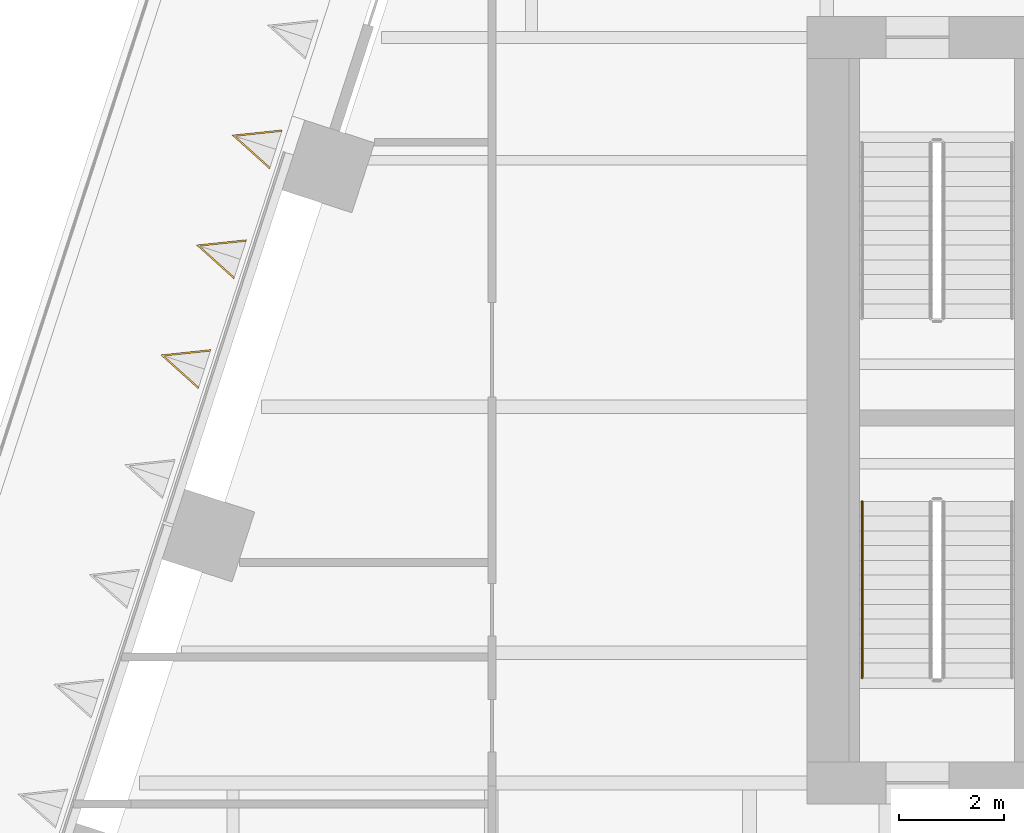
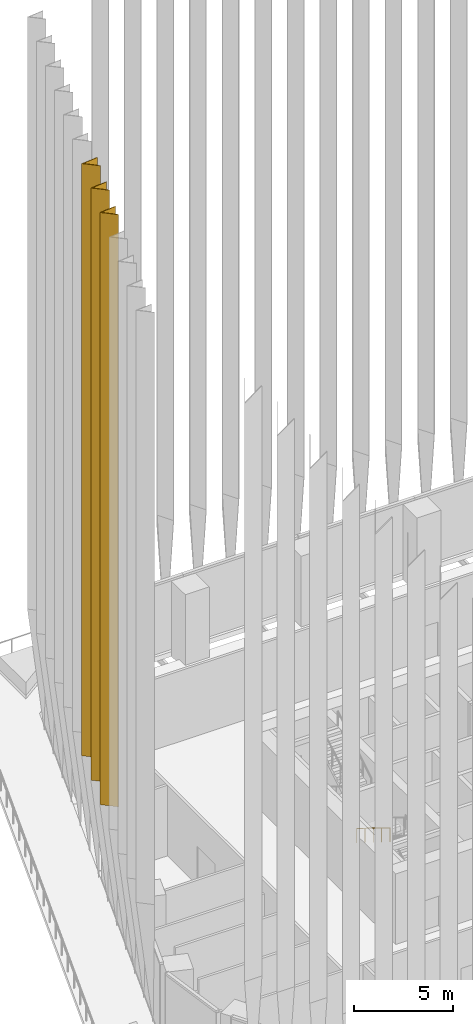
# One storey, part 18 of 27: 3 coverings, 1 railing.
"""IFC4 building model written with IfcOpenShell, lengths in metres."""

from ifc_helpers import new_model, si_unit, direction, frame, origin, origin_2d, place, context, subcontext, project, spatial, polyline, circle, outline, extrude, material, material_profile, profile_set, type_object, element, save


model = new_model("IFC4")

# Units and contexts
model_context = context("Model", 3, precision=1e-05, world=origin(), true_north=direction((0.0, 1.0)))
body_context = subcontext(model_context, "Body", "Model", "MODEL_VIEW")
ifc_project = project(units=[si_unit("LENGTHUNIT", "METRE"), si_unit("AREAUNIT", "SQUARE_METRE"), si_unit("VOLUMEUNIT", "CUBIC_METRE"), si_unit("PLANEANGLEUNIT", "RADIAN"), si_unit("MASSUNIT", "GRAM", prefix="KILO")], contexts=[model_context])

# Site, building, storey
site_placement = place(None, origin())
site = spatial("IfcSite", under=ifc_project, at=site_placement, CompositionType="ELEMENT")
building_placement = place(site_placement, origin())
building = spatial("IfcBuilding", under=site, at=building_placement, Name="Isthmus Gate Tower", CompositionType="ELEMENT")
storey_placement = place(building_placement, frame((0.0, 0.0, 121.64990234375)))
storey = spatial("IfcBuildingStorey", under=building, at=storey_placement, Name="L29", CompositionType="ELEMENT", Elevation=121.64990234375)

# Coverings
ifc_material_1 = material(Name="Structural steel ASTM A572 Gr 50, white paint system", Category="steel")
ifc_material_profile = material_profile(ifc_material_1, outline(polyline([(0.0, -0.391845703125), (0.8798828125, 0.0), (0.0, 0.391845703125), (0.0, 0.35888671875), (0.80615234375, 0.0), (0.0, -0.35888671875), (0.0, -0.391845703125)])), Name="V880")
ifc_profile_set = profile_set([ifc_material_profile], Name="Structural steel ASTM A572 Gr 50, white paint system")
covering_type = type_object("IfcCoveringType", Name="FIN V 880 DEEP", PredefinedType="CLADDING", material=ifc_profile_set)
for number, where, z_axis, x_axis, name in (
    (1, (-25.115478515625, 12.465087890625, 7.75), (0.0, 0.0, 1.0), (-0.951056516295, 0.309016994375, 0.0), "FIN"),
    (2, (-25.79541015625, 10.37255859375, 7.75), (0.0, 0.0, 1.0), (-0.951056516295, 0.309016994375, 0.0), "FIN"),
    (3, (-26.47509765625, 8.2802734375, 7.75), (0.0, 0.0, 1.0), (-0.951056516295, 0.309016994375, 0.0), "FIN"),
):
    element("IfcCovering", number, at=place(storey_placement, frame(where, z_axis=z_axis, x_axis=x_axis)), inside=storey, type_object=covering_type, Name=name, ObjectType="FIN", PredefinedType="CLADDING", context=body_context, shape_type="SweptSolid", body=[
        extrude(outline(polyline([(0.0, -0.391845703125), (0.8798828125, 0.0), (0.0, 0.391845703125), (0.0, 0.35888671875), (0.80615234375, 0.0), (0.0, -0.35888671875), (0.0, -0.391845703125)])), origin(), (0.0, 0.0, 1.0), 36.5),
    ])

# Railing
ifc_material_2 = material(Name="Stainless steel handrail", Category="steel")
railing_type = type_object("IfcRailingType", Name="STAIR HANDRAIL 900", PredefinedType="HANDRAIL", material=ifc_material_2)
railing_placement = place(storey_placement, frame((-13.949951171875, 5.760009765625, 2.423095703125)))
element("IfcRailing", 4, at=railing_placement, inside=storey, type_object=railing_type, Name="L29 ST7 stair handrail 2", PredefinedType="HANDRAIL", context=body_context, shape_type="SweptSolid", body=[
    extrude(circle(Radius=0.02392578125, at=origin_2d()), frame((0.0, 0.0, 0.8759765625), z_axis=(0.0, -0.850623216509, 0.525775754039), x_axis=(1.0, 0.0, 0.0)), (0.0, 0.0, 1.0), 3.9501953125),
    extrude(circle(Radius=0.02099609375, at=origin_2d()), origin(), (0.0, 0.0, 1.0), 0.851806640625),
    extrude(circle(Radius=0.02099609375, at=origin_2d()), frame((0.0, -0.840087890625, 0.519287109375)), (0.0, 0.0, 1.0), 0.851806640625),
    extrude(circle(Radius=0.02099609375, at=origin_2d()), frame((0.0, -1.68017578125, 1.03857421875)), (0.0, 0.0, 1.0), 0.851806640625),
    extrude(circle(Radius=0.02099609375, at=origin_2d()), frame((0.0, -2.52001953125, 1.5576171875)), (0.0, 0.0, 1.0), 0.851806640625),
    extrude(circle(Radius=0.02099609375, at=origin_2d()), frame((0.0, -3.360107421875, 2.076904296875)), (0.0, 0.0, 1.0), 0.851806640625),
])

save(model, "model.ifc")
